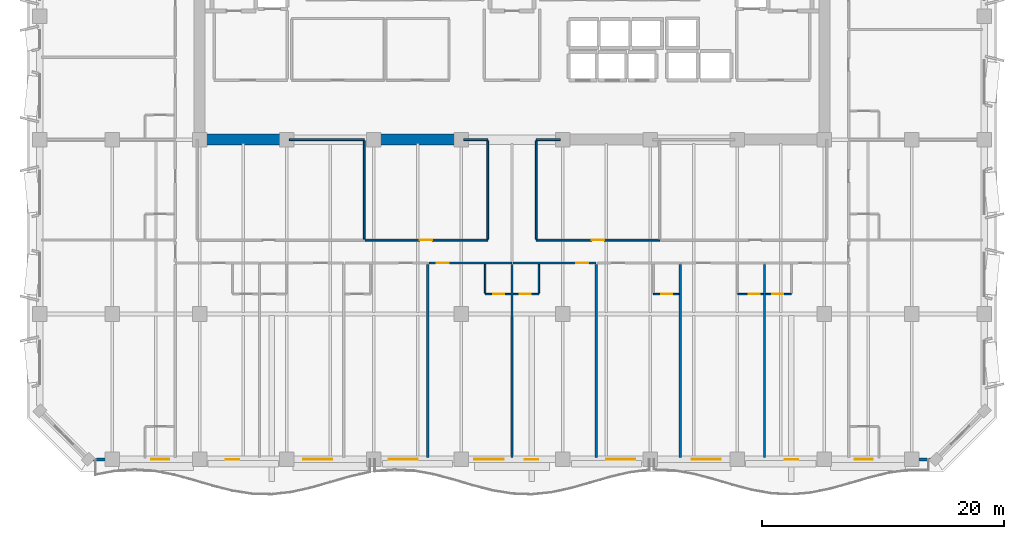
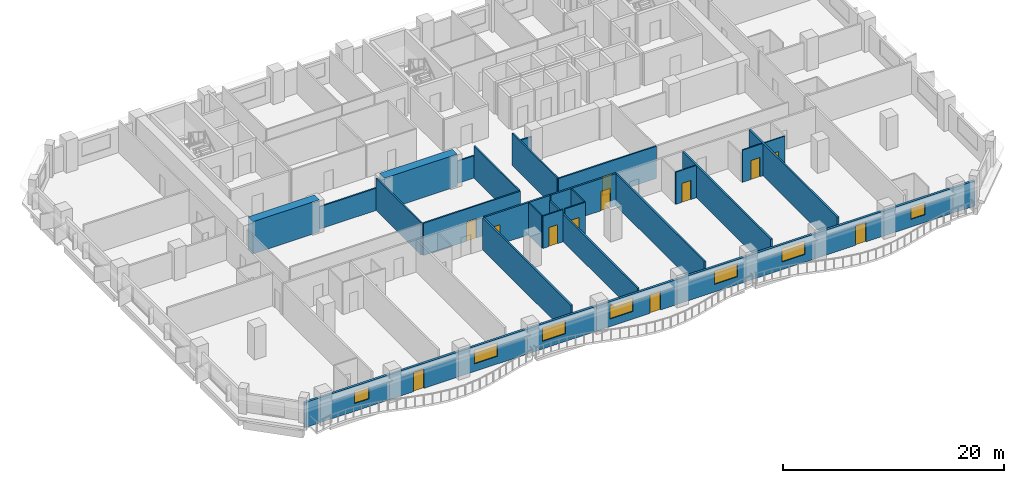
# One storey, part 5 of 14: 25 walls, 12 doors, 7 windows, 19 openings.
"""IFC4 building model written with IfcOpenShell, lengths in metres."""

from ifc_helpers import new_model, si_unit, direction, frame, frame_2d, origin, place, context, subcontext, project, spatial, rectangle, extrude, material, layer, layer_set, type_object, element, fill, save


model = new_model("IFC4")

# Units and contexts
model_context = context("Model", 3, precision=1e-05, world=origin(), true_north=direction((0.0, 1.0)))
body_context = subcontext(model_context, "Body", "Model", "MODEL_VIEW")
ifc_project = project(units=[si_unit("LENGTHUNIT", "METRE"), si_unit("AREAUNIT", "SQUARE_METRE"), si_unit("VOLUMEUNIT", "CUBIC_METRE"), si_unit("PLANEANGLEUNIT", "RADIAN"), si_unit("MASSUNIT", "GRAM", prefix="KILO")], contexts=[model_context])

# Site, building, storey
site_placement = place(None, origin())
site = spatial("IfcSite", under=ifc_project, at=site_placement, CompositionType="ELEMENT")
building_placement = place(site_placement, origin())
building = spatial("IfcBuilding", under=site, at=building_placement, Name="Kaelvorn Grand Hotel", CompositionType="ELEMENT")
storey_placement = place(building_placement, frame((0.0, 0.0, 169.550048828125)))
storey = spatial("IfcBuildingStorey", under=building, at=storey_placement, Name="L41", CompositionType="ELEMENT", Elevation=169.550048828125)

# Walls
ifc_material_1 = material(Name="Concrete C60/75", Category="concrete")
ifc_layer_1 = layer(ifc_material_1, 0.89990234375)
ifc_layer_set_1 = layer_set([ifc_layer_1], Name="Concrete C60/75")
wall_type_1 = type_object("IfcWallType", Name="WL-CORE-900-C60", PredefinedType="SHEAR", material=ifc_layer_set_1)
wall_1_placement = place(storey_placement, frame((16.655029296875, 29.39990234375, 0.0), z_axis=(0.0, 0.0, 1.0), x_axis=(1.0, 0.0, 0.0)))
element("IfcWall", 1, at=wall_1_placement, inside=storey, type_object=wall_type_1, Name="L41 Rear-Core Coupled Shear Pier S1", PredefinedType="SHEAR", context=body_context, shape_type="SweptSolid", body=[
    extrude(rectangle(XDim=6.945068359375, YDim=0.89990234375, at=frame_2d((3.47265625, 0.0))), origin(), (0.0, 0.0, 1.0), 3.56005859375),
])
wall_2_placement = place(storey_placement, frame((30.39990234375, 29.39990234375, 0.0), z_axis=(0.0, 0.0, 1.0), x_axis=(1.0, 0.0, 0.0)))
element("IfcWall", 2, at=wall_2_placement, inside=storey, type_object=wall_type_1, Name="L41 Rear-Core Coupled Shear Pier S2", PredefinedType="SHEAR", context=body_context, shape_type="SweptSolid", body=[
    extrude(rectangle(XDim=7.60009765625, YDim=0.89990234375, at=frame_2d((3.800048828125, 0.0))), origin(), (0.0, 0.0, 1.0), 3.56005859375),
])

# Wall, openings, doors, windows
ifc_material_2 = material(Name="Concrete C40/50", Category="concrete")
ifc_layer_2 = layer(ifc_material_2, 0.239990234375)
ifc_layer_set_2 = layer_set([ifc_layer_2], Name="Concrete C40/50")
wall_type_2 = type_object("IfcWallType", Name="WL-EXT-240-C40", PredefinedType="SOLIDWALL", material=ifc_layer_set_2)
wall_3_placement = place(storey_placement, frame((7.0, 3.0, 0.0), z_axis=(0.0, 0.0, 1.0), x_axis=(1.0, 0.0, 0.0)))
wall_3 = element("IfcWall", 3, at=wall_3_placement, inside=storey, type_object=wall_type_2, Name="L41 Exterior Architectural Concrete Wall 01", PredefinedType="SOLIDWALL", context=body_context, shape_type="SweptSolid", body=[
    extrude(rectangle(XDim=70.0, YDim=0.239990234375, at=frame_2d((35.0, 0.0))), origin(), (0.0, 0.0, 1.0), 2.760009765625),
])
opening_1_placement = place(wall_3_placement, frame((11.38330078125, 0.0, 0.0)))
opening_1 = element("IfcOpeningElement", 4, at=opening_1_placement, cuts=wall_3, Name="Opening DE2", PredefinedType="OPENING", context=body_context, shape_type="SweptSolid", body=[
    extrude(rectangle(XDim=1.10009765625, YDim=2.14990234375, at=frame_2d((0.550048828125, 1.074951171875))), frame((0.0, 0.1298828125, 0.0), z_axis=(0.0, -1.0, 0.0), x_axis=(1.0, 0.0, 0.0)), (0.0, 0.0, 1.0), 0.260009765625),
])
opening_2_placement = place(wall_3_placement, frame((36.069091796875, 0.0, 0.0)))
opening_2 = element("IfcOpeningElement", 5, at=opening_2_placement, cuts=wall_3, Name="Opening DE2", PredefinedType="OPENING", context=body_context, shape_type="SweptSolid", body=[
    extrude(rectangle(XDim=1.10009765625, YDim=2.14990234375, at=frame_2d((0.550048828125, 1.074951171875))), frame((0.0, 0.1298828125, 0.0), z_axis=(0.0, -1.0, 0.0), x_axis=(1.0, 0.0, 0.0)), (0.0, 0.0, 1.0), 0.260009765625),
])
opening_3_placement = place(wall_3_placement, frame((57.5166015625, 0.0, 0.0)))
opening_3 = element("IfcOpeningElement", 6, at=opening_3_placement, cuts=wall_3, Name="Opening DE2", PredefinedType="OPENING", context=body_context, shape_type="SweptSolid", body=[
    extrude(rectangle(XDim=1.10009765625, YDim=2.14990234375, at=frame_2d((0.550048828125, 1.074951171875))), frame((0.0, 0.1298828125, 0.0), z_axis=(0.0, -1.0, 0.0), x_axis=(1.0, 0.0, 0.0)), (0.0, 0.0, 1.0), 0.260009765625),
])
opening_4_placement = place(wall_3_placement, frame((5.199951171875, 0.0, 0.85009765625)))
opening_4 = element("IfcOpeningElement", 7, at=opening_4_placement, cuts=wall_3, Name="Opening W10", PredefinedType="OPENING", context=body_context, shape_type="SweptSolid", body=[
    extrude(rectangle(XDim=1.5, YDim=1.39990234375, at=frame_2d((0.75, 0.699951171875))), frame((0.0, 0.1298828125, 0.0), z_axis=(0.0, -1.0, 0.0), x_axis=(1.0, 0.0, 0.0)), (0.0, 0.0, 1.0), 0.260009765625),
])
opening_5_placement = place(wall_3_placement, frame((17.75, 0.0, 0.85009765625)))
opening_5 = element("IfcOpeningElement", 8, at=opening_5_placement, cuts=wall_3, Name="Opening W6", PredefinedType="OPENING", context=body_context, shape_type="SweptSolid", body=[
    extrude(rectangle(XDim=2.39990234375, YDim=1.5, at=frame_2d((1.199951171875, 0.75))), frame((0.0, 0.1298828125, 0.0), z_axis=(0.0, -1.0, 0.0), x_axis=(1.0, 0.0, 0.0)), (0.0, 0.0, 1.0), 0.260009765625),
])
opening_6_placement = place(wall_3_placement, frame((24.824951171875, 0.0, 0.85009765625)))
opening_6 = element("IfcOpeningElement", 9, at=opening_6_placement, cuts=wall_3, Name="Opening W6", PredefinedType="OPENING", context=body_context, shape_type="SweptSolid", body=[
    extrude(rectangle(XDim=2.39990234375, YDim=1.5, at=frame_2d((1.199951171875, 0.75))), frame((0.0, 0.1298828125, 0.0), z_axis=(0.0, -1.0, 0.0), x_axis=(1.0, 0.0, 0.0)), (0.0, 0.0, 1.0), 0.260009765625),
])
opening_7_placement = place(wall_3_placement, frame((31.89990234375, 0.0, 0.85009765625)))
opening_7 = element("IfcOpeningElement", 10, at=opening_7_placement, cuts=wall_3, Name="Opening W6", PredefinedType="OPENING", context=body_context, shape_type="SweptSolid", body=[
    extrude(rectangle(XDim=2.39990234375, YDim=1.5, at=frame_2d((1.199951171875, 0.75))), frame((0.0, 0.1298828125, 0.0), z_axis=(0.0, -1.0, 0.0), x_axis=(1.0, 0.0, 0.0)), (0.0, 0.0, 1.0), 0.260009765625),
])
opening_8_placement = place(wall_3_placement, frame((42.77490234375, 0.0, 0.85009765625)))
opening_8 = element("IfcOpeningElement", 11, at=opening_8_placement, cuts=wall_3, Name="Opening W6", PredefinedType="OPENING", context=body_context, shape_type="SweptSolid", body=[
    extrude(rectangle(XDim=2.39990234375, YDim=1.5, at=frame_2d((1.199951171875, 0.75))), frame((0.0, 0.1298828125, 0.0), z_axis=(0.0, -1.0, 0.0), x_axis=(1.0, 0.0, 0.0)), (0.0, 0.0, 1.0), 0.260009765625),
])
opening_9_placement = place(wall_3_placement, frame((49.85009765625, 0.0, 0.85009765625)))
opening_9 = element("IfcOpeningElement", 12, at=opening_9_placement, cuts=wall_3, Name="Opening W6", PredefinedType="OPENING", context=body_context, shape_type="SweptSolid", body=[
    extrude(rectangle(XDim=2.39990234375, YDim=1.5, at=frame_2d((1.199951171875, 0.75))), frame((0.0, 0.1298828125, 0.0), z_axis=(0.0, -1.0, 0.0), x_axis=(1.0, 0.0, 0.0)), (0.0, 0.0, 1.0), 0.260009765625),
])
opening_10_placement = place(wall_3_placement, frame((63.300048828125, 0.0, 0.85009765625)))
opening_10 = element("IfcOpeningElement", 13, at=opening_10_placement, cuts=wall_3, Name="Opening W10", PredefinedType="OPENING", context=body_context, shape_type="SweptSolid", body=[
    extrude(rectangle(XDim=1.5, YDim=1.39990234375, at=frame_2d((0.75, 0.699951171875))), frame((0.0, 0.1298828125, 0.0), z_axis=(0.0, -1.0, 0.0), x_axis=(1.0, 0.0, 0.0)), (0.0, 0.0, 1.0), 0.260009765625),
])
ifc_material_3 = material(Name="Anodised Aluminium", Category="aluminium")
door_type_1 = type_object("IfcDoorType", Name="DR-EXT-BALC-1100x2150", OperationType="NOTDEFINED", PredefinedType="DOOR", material=ifc_material_3)
door_1_placement = place(opening_1_placement, origin())
door_1 = element("IfcDoor", 14, at=door_1_placement, inside=storey, type_object=door_type_1, Name="L41 Scalloped Balcony Glazed Door DE2-1", OperationType="SINGLE_SWING_LEFT", OverallHeight=2.14990234375, OverallWidth=1.10009765625, PredefinedType="DOOR", context=body_context, shape_type="SweptSolid", body=[
    extrude(rectangle(XDim=1.10009765625, YDim=2.14990234375, at=frame_2d((0.550048828125, 1.074951171875))), frame((0.0, 0.02490234375, 0.0), z_axis=(0.0, -1.0, 0.0), x_axis=(1.0, 0.0, 0.0)), (0.0, 0.0, 1.0), 0.050048828125),
])
fill(opening_1, door_1)
door_2_placement = place(opening_2_placement, origin())
door_2 = element("IfcDoor", 15, at=door_2_placement, inside=storey, type_object=door_type_1, Name="L41 Scalloped Balcony Glazed Door DE2-2", OperationType="SINGLE_SWING_RIGHT", OverallHeight=2.14990234375, OverallWidth=1.10009765625, PredefinedType="DOOR", context=body_context, shape_type="SweptSolid", body=[
    extrude(rectangle(XDim=1.10009765625, YDim=2.14990234375, at=frame_2d((0.550048828125, 1.074951171875))), frame((0.0, 0.02490234375, 0.0), z_axis=(0.0, -1.0, 0.0), x_axis=(1.0, 0.0, 0.0)), (0.0, 0.0, 1.0), 0.050048828125),
])
fill(opening_2, door_2)
door_3_placement = place(opening_3_placement, origin())
door_3 = element("IfcDoor", 16, at=door_3_placement, inside=storey, type_object=door_type_1, Name="L41 Scalloped Balcony Glazed Door DE2-3", OperationType="SINGLE_SWING_LEFT", OverallHeight=2.14990234375, OverallWidth=1.10009765625, PredefinedType="DOOR", context=body_context, shape_type="SweptSolid", body=[
    extrude(rectangle(XDim=1.10009765625, YDim=2.14990234375, at=frame_2d((0.550048828125, 1.074951171875))), frame((0.0, 0.02490234375, 0.0), z_axis=(0.0, -1.0, 0.0), x_axis=(1.0, 0.0, 0.0)), (0.0, 0.0, 1.0), 0.050048828125),
])
fill(opening_3, door_3)
ifc_material_4 = material(Name="Laminated Low-E Glass", Category="glass")
window_type_1 = type_object("IfcWindowType", Name="WIN-COR-1500x1400", PartitioningType="SINGLE_PANEL", PredefinedType="WINDOW", material=ifc_material_4)
window_1_placement = place(opening_4_placement, origin())
window_1 = element("IfcWindow", 17, at=window_1_placement, inside=storey, type_object=window_type_1, Name="L41 South Guestroom Ribbon Window SR01", OverallHeight=1.39990234375, OverallWidth=1.5, PartitioningType="SINGLE_PANEL", PredefinedType="WINDOW", context=body_context, shape_type="SweptSolid", body=[
    extrude(rectangle(XDim=1.5, YDim=1.39990234375, at=frame_2d((0.75, 0.699951171875))), frame((0.0, 0.030029296875, 0.0), z_axis=(0.0, -1.0, 0.0), x_axis=(1.0, 0.0, 0.0)), (0.0, 0.0, 1.0), 0.06005859375),
])
fill(opening_4, window_1)
window_2_placement = place(opening_10_placement, origin())
window_2 = element("IfcWindow", 18, at=window_2_placement, inside=storey, type_object=window_type_1, Name="L41 South Guestroom Ribbon Window SR07", OverallHeight=1.39990234375, OverallWidth=1.5, PartitioningType="SINGLE_PANEL", PredefinedType="WINDOW", context=body_context, shape_type="SweptSolid", body=[
    extrude(rectangle(XDim=1.5, YDim=1.39990234375, at=frame_2d((0.75, 0.699951171875))), frame((0.0, 0.030029296875, 0.0), z_axis=(0.0, -1.0, 0.0), x_axis=(1.0, 0.0, 0.0)), (0.0, 0.0, 1.0), 0.06005859375),
])
fill(opening_10, window_2)
window_type_2 = type_object("IfcWindowType", Name="WIN-NTH-2400x1500", PartitioningType="SINGLE_PANEL", PredefinedType="WINDOW", material=ifc_material_4)
window_3_placement = place(opening_5_placement, origin())
window_3 = element("IfcWindow", 19, at=window_3_placement, inside=storey, type_object=window_type_2, Name="L41 South Guestroom Ribbon Window SR02", OverallHeight=1.5, OverallWidth=2.39990234375, PartitioningType="SINGLE_PANEL", PredefinedType="WINDOW", context=body_context, shape_type="SweptSolid", body=[
    extrude(rectangle(XDim=2.39990234375, YDim=1.5, at=frame_2d((1.199951171875, 0.75))), frame((0.0, 0.030029296875, 0.0), z_axis=(0.0, -1.0, 0.0), x_axis=(1.0, 0.0, 0.0)), (0.0, 0.0, 1.0), 0.06005859375),
])
fill(opening_5, window_3)
window_4_placement = place(opening_6_placement, origin())
window_4 = element("IfcWindow", 20, at=window_4_placement, inside=storey, type_object=window_type_2, Name="L41 South Guestroom Ribbon Window SR03", OverallHeight=1.5, OverallWidth=2.39990234375, PartitioningType="SINGLE_PANEL", PredefinedType="WINDOW", context=body_context, shape_type="SweptSolid", body=[
    extrude(rectangle(XDim=2.39990234375, YDim=1.5, at=frame_2d((1.199951171875, 0.75))), frame((0.0, 0.030029296875, 0.0), z_axis=(0.0, -1.0, 0.0), x_axis=(1.0, 0.0, 0.0)), (0.0, 0.0, 1.0), 0.06005859375),
])
fill(opening_6, window_4)
window_5_placement = place(opening_7_placement, origin())
window_5 = element("IfcWindow", 21, at=window_5_placement, inside=storey, type_object=window_type_2, Name="L41 South Guestroom Ribbon Window SR04", OverallHeight=1.5, OverallWidth=2.39990234375, PartitioningType="SINGLE_PANEL", PredefinedType="WINDOW", context=body_context, shape_type="SweptSolid", body=[
    extrude(rectangle(XDim=2.39990234375, YDim=1.5, at=frame_2d((1.199951171875, 0.75))), frame((0.0, 0.030029296875, 0.0), z_axis=(0.0, -1.0, 0.0), x_axis=(1.0, 0.0, 0.0)), (0.0, 0.0, 1.0), 0.06005859375),
])
fill(opening_7, window_5)
window_6_placement = place(opening_8_placement, origin())
window_6 = element("IfcWindow", 22, at=window_6_placement, inside=storey, type_object=window_type_2, Name="L41 South Guestroom Ribbon Window SR05", OverallHeight=1.5, OverallWidth=2.39990234375, PartitioningType="SINGLE_PANEL", PredefinedType="WINDOW", context=body_context, shape_type="SweptSolid", body=[
    extrude(rectangle(XDim=2.39990234375, YDim=1.5, at=frame_2d((1.199951171875, 0.75))), frame((0.0, 0.030029296875, 0.0), z_axis=(0.0, -1.0, 0.0), x_axis=(1.0, 0.0, 0.0)), (0.0, 0.0, 1.0), 0.06005859375),
])
fill(opening_8, window_6)
window_7_placement = place(opening_9_placement, origin())
window_7 = element("IfcWindow", 23, at=window_7_placement, inside=storey, type_object=window_type_2, Name="L41 South Guestroom Ribbon Window SR06", OverallHeight=1.5, OverallWidth=2.39990234375, PartitioningType="SINGLE_PANEL", PredefinedType="WINDOW", context=body_context, shape_type="SweptSolid", body=[
    extrude(rectangle(XDim=2.39990234375, YDim=1.5, at=frame_2d((1.199951171875, 0.75))), frame((0.0, 0.030029296875, 0.0), z_axis=(0.0, -1.0, 0.0), x_axis=(1.0, 0.0, 0.0)), (0.0, 0.0, 1.0), 0.06005859375),
])
fill(opening_9, window_7)

# Wall, opening, door
ifc_material_5 = material(Name="Moisture-Resistant Tile & Stud Board")
ifc_layer_3 = layer(ifc_material_5, 0.125)
ifc_layer_set_3 = layer_set([ifc_layer_3], Name="Moisture-Resistant Tile & Stud Board")
wall_type_3 = type_object("IfcWallType", Name="WL-PART-125-WET", PredefinedType="PARTITIONING", material=ifc_layer_set_3)
wall_4_placement = place(storey_placement, frame((39.780029296875, 16.64990234375, 0.0), z_axis=(0.0, 0.0, 1.0), x_axis=(1.0, 0.0, 0.0)))
wall_4 = element("IfcWall", 24, at=wall_4_placement, inside=storey, type_object=wall_type_3, Name="L41 En-suite Bathroom L41-04 S Partition", PredefinedType="PARTITIONING", context=body_context, shape_type="SweptSolid", body=[
    extrude(rectangle(XDim=2.125, YDim=0.125, at=frame_2d((1.0625, 0.0))), origin(), (0.0, 0.0, 1.0), 3.56005859375),
])
opening_11_placement = place(wall_4_placement, frame((0.659912109375, 0.0, 0.0)))
opening_11 = element("IfcOpeningElement", 25, at=opening_11_placement, cuts=wall_4, Name="Opening DI4", PredefinedType="OPENING", context=body_context, shape_type="SweptSolid", body=[
    extrude(rectangle(XDim=0.89990234375, YDim=2.10009765625, at=frame_2d((0.449951171875, 1.050048828125))), frame((0.0, 0.072509765625, 0.0), z_axis=(0.0, -1.0, 0.0), x_axis=(1.0, 0.0, 0.0)), (0.0, 0.0, 1.0), 0.14501953125),
])
ifc_material_6 = material(Name="Timber Veneer Leaf", Category="wood")
door_type_2 = type_object("IfcDoorType", Name="DR-INT-BATH-900x2100", OperationType="NOTDEFINED", PredefinedType="DOOR", material=ifc_material_6)
door_4_placement = place(opening_11_placement, origin())
door_4 = element("IfcDoor", 26, at=door_4_placement, inside=storey, type_object=door_type_2, Name="L41 En-suite Bathroom L41-04 Door", OperationType="SINGLE_SWING_RIGHT", OverallHeight=2.10009765625, OverallWidth=0.89990234375, PredefinedType="DOOR", context=body_context, shape_type="SweptSolid", body=[
    extrude(rectangle(XDim=0.89990234375, YDim=2.10009765625, at=frame_2d((0.449951171875, 1.050048828125))), frame((0.0, 0.02490234375, 0.0), z_axis=(0.0, -1.0, 0.0), x_axis=(1.0, 0.0, 0.0)), (0.0, 0.0, 1.0), 0.050048828125),
])
fill(opening_11, door_4)

# Wall
wall_5_placement = place(storey_placement, frame((39.780029296875, 16.717529296875, 0.0), z_axis=(0.0, 0.0, 1.0), x_axis=(0.0, 1.0, 0.0)))
element("IfcWall", 27, at=wall_5_placement, inside=storey, type_object=wall_type_3, Name="L41 En-suite Bathroom L41-04 W Partition", PredefinedType="PARTITIONING", context=body_context, shape_type="SweptSolid", body=[
    extrude(rectangle(XDim=2.387451171875, YDim=0.125, at=frame_2d((1.19384765625, 0.0))), origin(), (0.0, 0.0, 1.0), 3.56005859375),
])

# Wall, opening, door
wall_6_placement = place(storey_placement, frame((42.094970703125, 16.64990234375, 0.0), z_axis=(0.0, 0.0, 1.0), x_axis=(1.0, 0.0, 0.0)))
wall_6 = element("IfcWall", 28, at=wall_6_placement, inside=storey, type_object=wall_type_3, Name="L41 En-suite Bathroom L41-05 S Partition", PredefinedType="PARTITIONING", context=body_context, shape_type="SweptSolid", body=[
    extrude(rectangle(XDim=2.125, YDim=0.125, at=frame_2d((1.0625, 0.0))), origin(), (0.0, 0.0, 1.0), 3.56005859375),
])
opening_12_placement = place(wall_6_placement, frame((0.56494140625, 0.0, 0.0)))
opening_12 = element("IfcOpeningElement", 29, at=opening_12_placement, cuts=wall_6, Name="Opening DI4", PredefinedType="OPENING", context=body_context, shape_type="SweptSolid", body=[
    extrude(rectangle(XDim=0.89990234375, YDim=2.10009765625, at=frame_2d((0.449951171875, 1.050048828125))), frame((0.0, 0.072509765625, 0.0), z_axis=(0.0, -1.0, 0.0), x_axis=(1.0, 0.0, 0.0)), (0.0, 0.0, 1.0), 0.14501953125),
])
door_5_placement = place(opening_12_placement, origin())
door_5 = element("IfcDoor", 30, at=door_5_placement, inside=storey, type_object=door_type_2, Name="L41 En-suite Bathroom L41-05 Door", OperationType="SINGLE_SWING_RIGHT", OverallHeight=2.10009765625, OverallWidth=0.89990234375, PredefinedType="DOOR", context=body_context, shape_type="SweptSolid", body=[
    extrude(rectangle(XDim=0.89990234375, YDim=2.10009765625, at=frame_2d((0.449951171875, 1.050048828125))), frame((0.0, 0.02490234375, 0.0), z_axis=(0.0, -1.0, 0.0), x_axis=(1.0, 0.0, 0.0)), (0.0, 0.0, 1.0), 0.050048828125),
])
fill(opening_12, door_5)

# Wall
wall_7_placement = place(storey_placement, frame((44.219970703125, 16.717529296875, 0.0), z_axis=(0.0, 0.0, 1.0), x_axis=(0.0, 1.0, 0.0)))
element("IfcWall", 31, at=wall_7_placement, inside=storey, type_object=wall_type_3, Name="L41 En-suite Bathroom L41-05 E Partition", PredefinedType="PARTITIONING", context=body_context, shape_type="SweptSolid", body=[
    extrude(rectangle(XDim=2.387451171875, YDim=0.125, at=frame_2d((1.19384765625, 0.0))), origin(), (0.0, 0.0, 1.0), 3.56005859375),
])

# Wall, opening, door
wall_8_placement = place(storey_placement, frame((53.679931640625, 16.64990234375, 0.0), z_axis=(0.0, 0.0, 1.0), x_axis=(1.0, 0.0, 0.0)))
wall_8 = element("IfcWall", 32, at=wall_8_placement, inside=storey, type_object=wall_type_3, Name="L41 En-suite Bathroom L41-06 S Partition", PredefinedType="PARTITIONING", context=body_context, shape_type="SweptSolid", body=[
    extrude(rectangle(XDim=2.125, YDim=0.125, at=frame_2d((1.0625, 0.0))), origin(), (0.0, 0.0, 1.0), 3.56005859375),
])
opening_13_placement = place(wall_8_placement, frame((0.659912109375, 0.0, 0.0)))
opening_13 = element("IfcOpeningElement", 33, at=opening_13_placement, cuts=wall_8, Name="Opening DI4", PredefinedType="OPENING", context=body_context, shape_type="SweptSolid", body=[
    extrude(rectangle(XDim=0.89990234375, YDim=2.10009765625, at=frame_2d((0.449951171875, 1.050048828125))), frame((0.0, 0.072509765625, 0.0), z_axis=(0.0, -1.0, 0.0), x_axis=(1.0, 0.0, 0.0)), (0.0, 0.0, 1.0), 0.14501953125),
])
door_6_placement = place(opening_13_placement, origin())
door_6 = element("IfcDoor", 34, at=door_6_placement, inside=storey, type_object=door_type_2, Name="L41 En-suite Bathroom L41-06 Door", OperationType="SINGLE_SWING_RIGHT", OverallHeight=2.10009765625, OverallWidth=0.89990234375, PredefinedType="DOOR", context=body_context, shape_type="SweptSolid", body=[
    extrude(rectangle(XDim=0.89990234375, YDim=2.10009765625, at=frame_2d((0.449951171875, 1.050048828125))), frame((0.0, 0.02490234375, 0.0), z_axis=(0.0, -1.0, 0.0), x_axis=(1.0, 0.0, 0.0)), (0.0, 0.0, 1.0), 0.050048828125),
])
fill(opening_13, door_6)

wall_9_placement = place(storey_placement, frame((60.6298828125, 16.64990234375, 0.0), z_axis=(0.0, 0.0, 1.0), x_axis=(1.0, 0.0, 0.0)))
wall_9 = element("IfcWall", 35, at=wall_9_placement, inside=storey, type_object=wall_type_3, Name="L41 En-suite Bathroom L41-07 S Partition", PredefinedType="PARTITIONING", context=body_context, shape_type="SweptSolid", body=[
    extrude(rectangle(XDim=2.125, YDim=0.125, at=frame_2d((1.0625, 0.0))), origin(), (0.0, 0.0, 1.0), 3.56005859375),
])
opening_14_placement = place(wall_9_placement, frame((0.909912109375, 0.0, 0.0)))
opening_14 = element("IfcOpeningElement", 36, at=opening_14_placement, cuts=wall_9, Name="Opening DI4", PredefinedType="OPENING", context=body_context, shape_type="SweptSolid", body=[
    extrude(rectangle(XDim=0.89990234375, YDim=2.10009765625, at=frame_2d((0.449951171875, 1.050048828125))), frame((0.0, 0.072509765625, 0.0), z_axis=(0.0, -1.0, 0.0), x_axis=(1.0, 0.0, 0.0)), (0.0, 0.0, 1.0), 0.14501953125),
])
door_7_placement = place(opening_14_placement, origin())
door_7 = element("IfcDoor", 37, at=door_7_placement, inside=storey, type_object=door_type_2, Name="L41 En-suite Bathroom L41-07 Door", OperationType="SINGLE_SWING_RIGHT", OverallHeight=2.10009765625, OverallWidth=0.89990234375, PredefinedType="DOOR", context=body_context, shape_type="SweptSolid", body=[
    extrude(rectangle(XDim=0.89990234375, YDim=2.10009765625, at=frame_2d((0.449951171875, 1.050048828125))), frame((0.0, 0.02490234375, 0.0), z_axis=(0.0, -1.0, 0.0), x_axis=(1.0, 0.0, 0.0)), (0.0, 0.0, 1.0), 0.050048828125),
])
fill(opening_14, door_7)

wall_10_placement = place(storey_placement, frame((62.945068359375, 16.64990234375, 0.0), z_axis=(0.0, 0.0, 1.0), x_axis=(1.0, 0.0, 0.0)))
wall_10 = element("IfcWall", 38, at=wall_10_placement, inside=storey, type_object=wall_type_3, Name="L41 En-suite Bathroom L41-08 S Partition", PredefinedType="PARTITIONING", context=body_context, shape_type="SweptSolid", body=[
    extrude(rectangle(XDim=2.125, YDim=0.125, at=frame_2d((1.0625, 0.0))), origin(), (0.0, 0.0, 1.0), 3.56005859375),
])
opening_15_placement = place(wall_10_placement, frame((0.56494140625, 0.0, 0.0)))
opening_15 = element("IfcOpeningElement", 39, at=opening_15_placement, cuts=wall_10, Name="Opening DI4", PredefinedType="OPENING", context=body_context, shape_type="SweptSolid", body=[
    extrude(rectangle(XDim=0.89990234375, YDim=2.10009765625, at=frame_2d((0.449951171875, 1.050048828125))), frame((0.0, 0.072509765625, 0.0), z_axis=(0.0, -1.0, 0.0), x_axis=(1.0, 0.0, 0.0)), (0.0, 0.0, 1.0), 0.14501953125),
])
door_8_placement = place(opening_15_placement, origin())
door_8 = element("IfcDoor", 40, at=door_8_placement, inside=storey, type_object=door_type_2, Name="L41 En-suite Bathroom L41-08 Door", OperationType="SINGLE_SWING_RIGHT", OverallHeight=2.10009765625, OverallWidth=0.89990234375, PredefinedType="DOOR", context=body_context, shape_type="SweptSolid", body=[
    extrude(rectangle(XDim=0.89990234375, YDim=2.10009765625, at=frame_2d((0.449951171875, 1.050048828125))), frame((0.0, 0.02490234375, 0.0), z_axis=(0.0, -1.0, 0.0), x_axis=(1.0, 0.0, 0.0)), (0.0, 0.0, 1.0), 0.050048828125),
])
fill(opening_15, door_8)

# Walls
ifc_material_7 = material(Name="Acoustic Gypsum & Stud Partition")
ifc_layer_4 = layer(ifc_material_7, 0.14990234375)
ifc_layer_set_4 = layer_set([ifc_layer_4], Name="Acoustic Gypsum & Stud Partition")
wall_type_4 = type_object("IfcWallType", Name="WL-PART-150-EI60", PredefinedType="PARTITIONING", material=ifc_layer_set_4)
wall_11_placement = place(storey_placement, frame((23.610107421875, 29.39990234375, 0.0), z_axis=(0.0, 0.0, 1.0), x_axis=(1.0, 0.0, 0.0)))
element("IfcWall", 41, at=wall_11_placement, inside=storey, type_object=wall_type_4, Name="L41 Wellness Spa Salon N Partition", PredefinedType="PARTITIONING", context=body_context, shape_type="SweptSolid", body=[
    extrude(rectangle(XDim=6.18994140625, YDim=0.14990234375, at=frame_2d((3.094970703125, 0.0))), origin(), (0.0, 0.0, 1.0), 2.4599609375),
])
wall_12_placement = place(storey_placement, frame((29.800048828125, 21.179931640625, 0.0), z_axis=(0.0, 0.0, 1.0), x_axis=(0.0, 1.0, 0.0)))
element("IfcWall", 42, at=wall_12_placement, inside=storey, type_object=wall_type_4, Name="L41 Wellness Spa Salon E Partition", PredefinedType="PARTITIONING", context=body_context, shape_type="SweptSolid", body=[
    extrude(rectangle(XDim=8.14013671875, YDim=0.14990234375, at=frame_2d((4.070068359375, 0.0))), origin(), (0.0, 0.0, 1.0), 3.56005859375),
])

# Wall, opening, door
wall_13_placement = place(storey_placement, frame((29.8798828125, 21.10009765625, 0.0), z_axis=(0.0, 0.0, 1.0), x_axis=(1.0, 0.0, 0.0)))
wall_13 = element("IfcWall", 43, at=wall_13_placement, inside=storey, type_object=wall_type_4, Name="L41 Guest Pantry Kitchen S Partition", PredefinedType="PARTITIONING", context=body_context, shape_type="SweptSolid", body=[
    extrude(rectangle(XDim=10.1201171875, YDim=0.14990234375, at=frame_2d((5.06005859375, 0.0))), origin(), (0.0, 0.0, 1.0), 3.56005859375),
])
opening_16_placement = place(wall_13_placement, frame((4.52001953125, 0.0, 0.0)))
opening_16 = element("IfcOpeningElement", 44, at=opening_16_placement, cuts=wall_13, Name="Opening DI3", PredefinedType="OPENING", context=body_context, shape_type="SweptSolid", body=[
    extrude(rectangle(XDim=1.0, YDim=2.14990234375, at=frame_2d((0.5, 1.074951171875))), frame((0.0, 0.0849609375, 0.0), z_axis=(0.0, -1.0, 0.0), x_axis=(1.0, 0.0, 0.0)), (0.0, 0.0, 1.0), 0.169921875),
])
ifc_material_8 = material(Name="Timber Veneer Fire Leaf", Category="wood")
door_type_3 = type_object("IfcDoorType", Name="DR-INT-GUEST-1000x2150", OperationType="NOTDEFINED", PredefinedType="DOOR", material=ifc_material_8)
door_9_placement = place(opening_16_placement, origin())
door_9 = element("IfcDoor", 45, at=door_9_placement, inside=storey, type_object=door_type_3, Name="L41 Guest Pantry Kitchen Door", OperationType="SINGLE_SWING_RIGHT", OverallHeight=2.14990234375, OverallWidth=1.0, PredefinedType="DOOR", context=body_context, shape_type="SweptSolid", body=[
    extrude(rectangle(XDim=1.0, YDim=2.14990234375, at=frame_2d((0.5, 1.074951171875))), frame((0.0, 0.02490234375, 0.0), z_axis=(0.0, -1.0, 0.0), x_axis=(1.0, 0.0, 0.0)), (0.0, 0.0, 1.0), 0.050048828125),
])
fill(opening_16, door_9)

# Walls
wall_14_placement = place(storey_placement, frame((38.010009765625, 29.39990234375, 0.0), z_axis=(0.0, 0.0, 1.0), x_axis=(1.0, 0.0, 0.0)))
element("IfcWall", 46, at=wall_14_placement, inside=storey, type_object=wall_type_4, Name="L41 Guest Pantry Kitchen N Partition (2)", PredefinedType="PARTITIONING", context=body_context, shape_type="SweptSolid", body=[
    extrude(rectangle(XDim=1.989990234375, YDim=0.14990234375, at=frame_2d((0.9951171875, 0.0))), origin(), (0.0, 0.0, 1.0), 2.4599609375),
])
wall_15_placement = place(storey_placement, frame((40.0, 21.179931640625, 0.0), z_axis=(0.0, 0.0, 1.0), x_axis=(0.0, 1.0, 0.0)))
element("IfcWall", 47, at=wall_15_placement, inside=storey, type_object=wall_type_4, Name="L41 Guest Pantry Kitchen E Partition", PredefinedType="PARTITIONING", context=body_context, shape_type="SweptSolid", body=[
    extrude(rectangle(XDim=8.14013671875, YDim=0.14990234375, at=frame_2d((4.070068359375, 0.0))), origin(), (0.0, 0.0, 1.0), 3.56005859375),
])

# Wall, opening, door
wall_16_placement = place(storey_placement, frame((44.0, 21.10009765625, 0.0), z_axis=(0.0, 0.0, 1.0), x_axis=(1.0, 0.0, 0.0)))
wall_16 = element("IfcWall", 48, at=wall_16_placement, inside=storey, type_object=wall_type_4, Name="L41 Diplomatic Living Room S Partition", PredefinedType="PARTITIONING", context=body_context, shape_type="SweptSolid", body=[
    extrude(rectangle(XDim=10.199951171875, YDim=0.14990234375, at=frame_2d((5.10009765625, 0.0))), origin(), (0.0, 0.0, 1.0), 3.56005859375),
])
opening_17_placement = place(wall_16_placement, frame((4.60009765625, 0.0, 0.0)))
opening_17 = element("IfcOpeningElement", 49, at=opening_17_placement, cuts=wall_16, Name="Opening DI3", PredefinedType="OPENING", context=body_context, shape_type="SweptSolid", body=[
    extrude(rectangle(XDim=1.0, YDim=2.14990234375, at=frame_2d((0.5, 1.074951171875))), frame((0.0, 0.0849609375, 0.0), z_axis=(0.0, -1.0, 0.0), x_axis=(1.0, 0.0, 0.0)), (0.0, 0.0, 1.0), 0.169921875),
])
door_10_placement = place(opening_17_placement, origin())
door_10 = element("IfcDoor", 50, at=door_10_placement, inside=storey, type_object=door_type_3, Name="L41 Diplomatic Living Room Door", OperationType="SINGLE_SWING_LEFT", OverallHeight=2.14990234375, OverallWidth=1.0, PredefinedType="DOOR", context=body_context, shape_type="SweptSolid", body=[
    extrude(rectangle(XDim=1.0, YDim=2.14990234375, at=frame_2d((0.5, 1.074951171875))), frame((0.0, 0.02490234375, 0.0), z_axis=(0.0, -1.0, 0.0), x_axis=(1.0, 0.0, 0.0)), (0.0, 0.0, 1.0), 0.050048828125),
])
fill(opening_17, door_10)

# Walls
wall_17_placement = place(storey_placement, frame((44.0, 29.39990234375, 0.0), z_axis=(0.0, 0.0, 1.0), x_axis=(1.0, 0.0, 0.0)))
element("IfcWall", 51, at=wall_17_placement, inside=storey, type_object=wall_type_4, Name="L41 Diplomatic Living Room N Partition (1)", PredefinedType="PARTITIONING", context=body_context, shape_type="SweptSolid", body=[
    extrude(rectangle(XDim=1.989990234375, YDim=0.14990234375, at=frame_2d((0.9951171875, 0.0))), origin(), (0.0, 0.0, 1.0), 2.4599609375),
])
wall_18_placement = place(storey_placement, frame((44.0, 21.179931640625, 0.0), z_axis=(0.0, 0.0, 1.0), x_axis=(0.0, 1.0, 0.0)))
element("IfcWall", 52, at=wall_18_placement, inside=storey, type_object=wall_type_4, Name="L41 Diplomatic Living Room W Partition", PredefinedType="PARTITIONING", context=body_context, shape_type="SweptSolid", body=[
    extrude(rectangle(XDim=8.14013671875, YDim=0.14990234375, at=frame_2d((4.070068359375, 0.0))), origin(), (0.0, 0.0, 1.0), 3.56005859375),
])
ifc_layer_5 = layer(ifc_material_7, 0.179931640625)
ifc_layer_set_5 = layer_set([ifc_layer_5], Name="Acoustic Gypsum & Stud Partition")
wall_type_5 = type_object("IfcWallType", Name="WL-PART-180-EI60", PredefinedType="PARTITIONING", material=ifc_layer_set_5)
wall_19_placement = place(storey_placement, frame((35.050048828125, 3.14990234375, 0.0), z_axis=(0.0, 0.0, 1.0), x_axis=(0.0, 1.0, 0.0)))
element("IfcWall", 53, at=wall_19_placement, inside=storey, type_object=wall_type_5, Name="L41 Mid-Rise Signature Suite L41-03 E Partition", PredefinedType="PARTITIONING", context=body_context, shape_type="SweptSolid", body=[
    extrude(rectangle(XDim=15.955078125, YDim=0.179931640625, at=frame_2d((7.9775390625, 0.0))), origin(), (0.0, 0.0, 1.0), 3.56005859375),
])

# Wall, opening, door
wall_20_placement = place(storey_placement, frame((35.14501953125, 19.199951171875, 0.0), z_axis=(0.0, 0.0, 1.0), x_axis=(1.0, 0.0, 0.0)))
wall_20 = element("IfcWall", 54, at=wall_20_placement, inside=storey, type_object=wall_type_5, Name="L41 Mid-Rise Signature Suite L41-04 N Partition", PredefinedType="PARTITIONING", context=body_context, shape_type="SweptSolid", body=[
    extrude(rectangle(XDim=6.85498046875, YDim=0.179931640625, at=frame_2d((3.427490234375, 0.0))), origin(), (0.0, 0.0, 1.0), 3.56005859375),
])
opening_18_placement = place(wall_20_placement, frame((0.64990234375, 0.0, 0.0)))
opening_18 = element("IfcOpeningElement", 55, at=opening_18_placement, cuts=wall_20, Name="Opening DI3", PredefinedType="OPENING", context=body_context, shape_type="SweptSolid", body=[
    extrude(rectangle(XDim=1.0, YDim=2.14990234375, at=frame_2d((0.5, 1.074951171875))), frame((0.0, 0.10009765625, 0.0), z_axis=(0.0, -1.0, 0.0), x_axis=(1.0, 0.0, 0.0)), (0.0, 0.0, 1.0), 0.199951171875),
])
door_11_placement = place(opening_18_placement, origin())
door_11 = element("IfcDoor", 56, at=door_11_placement, inside=storey, type_object=door_type_3, Name="L41 Mid-Rise Signature Suite L41-04 Door", OperationType="SINGLE_SWING_LEFT", OverallHeight=2.14990234375, OverallWidth=1.0, PredefinedType="DOOR", context=body_context, shape_type="SweptSolid", body=[
    extrude(rectangle(XDim=1.0, YDim=2.14990234375, at=frame_2d((0.5, 1.074951171875))), frame((0.0, 0.02490234375, 0.0), z_axis=(0.0, -1.0, 0.0), x_axis=(1.0, 0.0, 0.0)), (0.0, 0.0, 1.0), 0.050048828125),
])
fill(opening_18, door_11)

# Wall
wall_21_placement = place(storey_placement, frame((42.0, 3.14990234375, 0.0), z_axis=(0.0, 0.0, 1.0), x_axis=(0.0, 1.0, 0.0)))
element("IfcWall", 57, at=wall_21_placement, inside=storey, type_object=wall_type_5, Name="L41 Mid-Rise Signature Suite L41-04 E Partition", PredefinedType="PARTITIONING", context=body_context, shape_type="SweptSolid", body=[
    extrude(rectangle(XDim=15.955078125, YDim=0.179931640625, at=frame_2d((7.9775390625, 0.0))), origin(), (0.0, 0.0, 1.0), 3.010009765625),
])

# Wall, opening, door
wall_22_placement = place(storey_placement, frame((42.094970703125, 19.199951171875, 0.0), z_axis=(0.0, 0.0, 1.0), x_axis=(1.0, 0.0, 0.0)))
wall_22 = element("IfcWall", 58, at=wall_22_placement, inside=storey, type_object=wall_type_5, Name="L41 Mid-Rise Signature Suite L41-05 N Partition", PredefinedType="PARTITIONING", context=body_context, shape_type="SweptSolid", body=[
    extrude(rectangle(XDim=6.85498046875, YDim=0.179931640625, at=frame_2d((3.427490234375, 0.0))), origin(), (0.0, 0.0, 1.0), 3.56005859375),
])
opening_19_placement = place(wall_22_placement, frame((5.205078125, 0.0, 0.0)))
opening_19 = element("IfcOpeningElement", 59, at=opening_19_placement, cuts=wall_22, Name="Opening DI3", PredefinedType="OPENING", context=body_context, shape_type="SweptSolid", body=[
    extrude(rectangle(XDim=1.0, YDim=2.14990234375, at=frame_2d((0.5, 1.074951171875))), frame((0.0, 0.10009765625, 0.0), z_axis=(0.0, -1.0, 0.0), x_axis=(1.0, 0.0, 0.0)), (0.0, 0.0, 1.0), 0.199951171875),
])
door_12_placement = place(opening_19_placement, origin())
door_12 = element("IfcDoor", 60, at=door_12_placement, inside=storey, type_object=door_type_3, Name="L41 Mid-Rise Signature Suite L41-05 Door", OperationType="SINGLE_SWING_LEFT", OverallHeight=2.14990234375, OverallWidth=1.0, PredefinedType="DOOR", context=body_context, shape_type="SweptSolid", body=[
    extrude(rectangle(XDim=1.0, YDim=2.14990234375, at=frame_2d((0.5, 1.074951171875))), frame((0.0, 0.02490234375, 0.0), z_axis=(0.0, -1.0, 0.0), x_axis=(1.0, 0.0, 0.0)), (0.0, 0.0, 1.0), 0.050048828125),
])
fill(opening_19, door_12)

# Walls
for number, where, z_axis, x_axis, name in (
    (61, (48.949951171875, 3.14990234375, 0.0), (0.0, 0.0, 1.0), (0.0, 1.0, 0.0), "L41 Mid-Rise Signature Suite L41-05 E Partition"),
    (62, (55.89990234375, 3.14990234375, 0.0), (0.0, 0.0, 1.0), (0.0, 1.0, 0.0), "L41 Mid-Rise Signature Suite L41-06 E Partition"),
    (63, (62.85009765625, 3.14990234375, 0.0), (0.0, 0.0, 1.0), (0.0, 1.0, 0.0), "L41 Mid-Rise Signature Suite L41-07 E Partition"),
):
    element("IfcWall", number, at=place(storey_placement, frame(where, z_axis=z_axis, x_axis=x_axis)), inside=storey, type_object=wall_type_5, Name=name, PredefinedType="PARTITIONING", context=body_context, shape_type="SweptSolid", body=[
        extrude(rectangle(XDim=15.955078125, YDim=0.179931640625, at=frame_2d((7.9775390625, 0.0))), origin(), (0.0, 0.0, 1.0), 3.56005859375),
    ])

save(model, "model.ifc")
